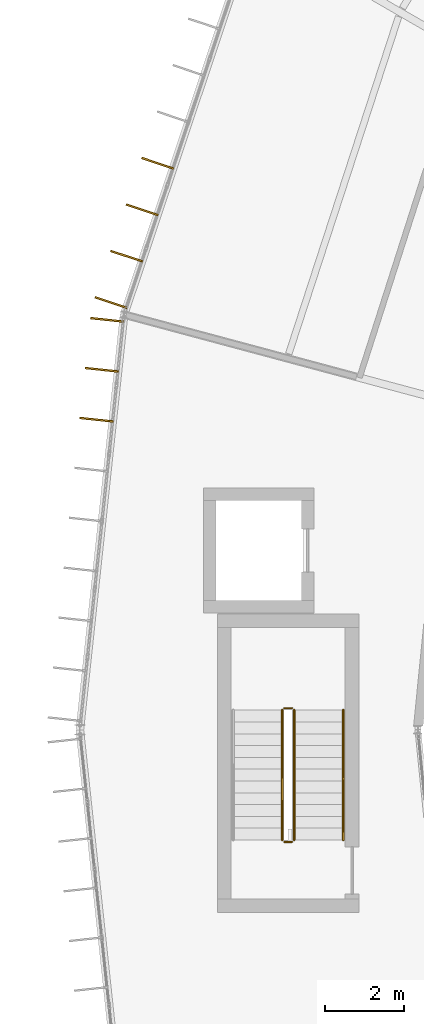
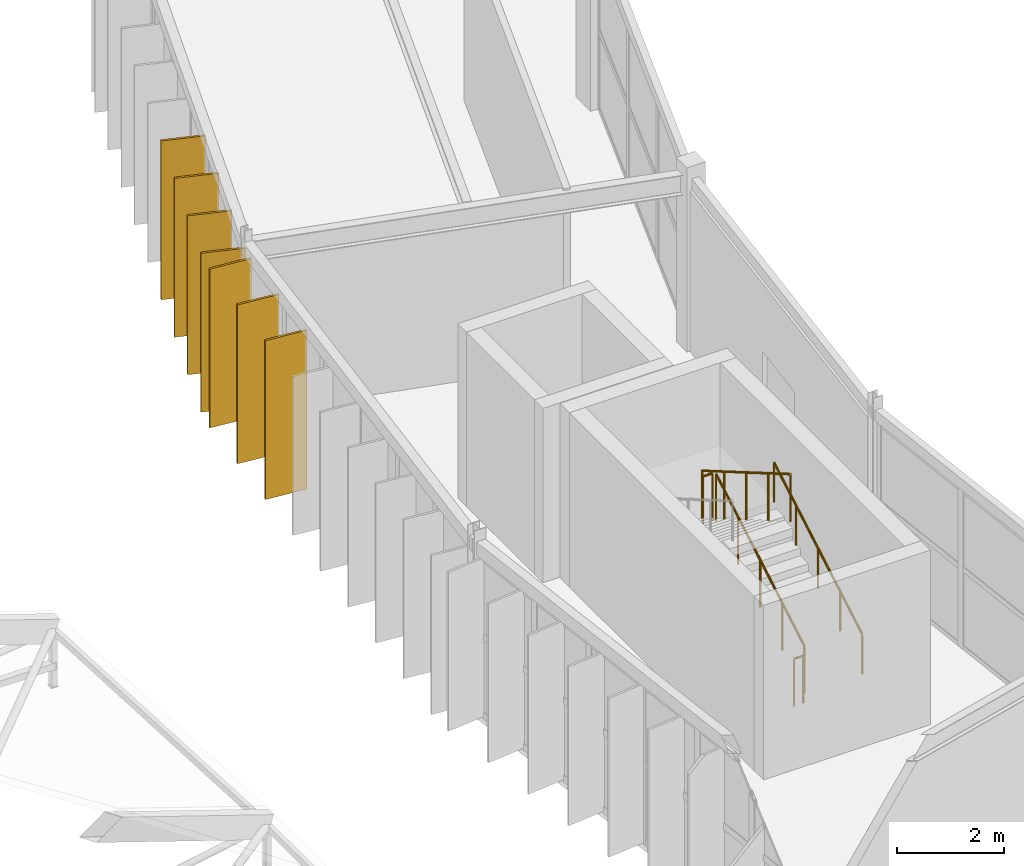
# One storey, part 126 of 134: 7 shading devices, 5 railings.
"""IFC4 building model written with IfcOpenShell, lengths in metres."""

from ifc_helpers import new_model, si_unit, direction, frame, origin, origin_2d, place, context, subcontext, project, spatial, rectangle, circle, extrude, material, layer, layer_set, type_object, element, save


model = new_model("IFC4")

# Units and contexts
model_context = context("Model", 3, precision=1e-05, world=origin(), true_north=direction((0.0, 1.0)))
body_context = subcontext(model_context, "Body", "Model", "MODEL_VIEW")
ifc_project = project(units=[si_unit("LENGTHUNIT", "METRE"), si_unit("AREAUNIT", "SQUARE_METRE"), si_unit("VOLUMEUNIT", "CUBIC_METRE"), si_unit("PLANEANGLEUNIT", "RADIAN"), si_unit("MASSUNIT", "GRAM", prefix="KILO")], contexts=[model_context])

# Site, building, storey
site_placement = place(None, origin())
site = spatial("IfcSite", under=ifc_project, at=site_placement, CompositionType="ELEMENT")
building_placement = place(site_placement, origin())
building = spatial("IfcBuilding", under=site, at=building_placement, Name="Karori Crest Natural Sciences Institute", CompositionType="ELEMENT")
storey_placement = place(building_placement, frame((0.0, 0.0, 21.699951171875)))
storey = spatial("IfcBuildingStorey", under=building, at=storey_placement, Name="L05", CompositionType="ELEMENT", Elevation=21.699951171875)

# Railings
ifc_material_1 = material(Name="Stainless steel 316 tubular handrail", Category="steel")
railing_type_1 = type_object("IfcRailingType", Name="RLT-HND", PredefinedType="HANDRAIL", material=ifc_material_1)
railing_1_placement = place(storey_placement, frame((40.10009765625, 47.10009765625, 0.175048828125)))
element("IfcRailing", 1, at=railing_1_placement, inside=storey, type_object=railing_type_1, Name="Stair handrail RL-0090", PredefinedType="HANDRAIL", context=body_context, shape_type="SweptSolid", body=[
    extrude(circle(Radius=0.02392578125, at=origin_2d()), frame((0.0, 0.0, 0.90087890625), z_axis=(0.0, 0.863760357493, 0.503902812876), x_axis=(-1.0, 0.0, 0.0)), (0.0, 0.0, 1.0), 3.8203125),
    extrude(circle(Radius=0.02099609375, at=origin_2d()), origin(), (0.0, 0.0, 1.0), 0.876953125),
    extrude(circle(Radius=0.02099609375, at=origin_2d()), frame((0.0, 0.824951171875, 0.481201171875)), (0.0, 0.0, 1.0), 0.876953125),
    extrude(circle(Radius=0.02099609375, at=origin_2d()), frame((0.0, 1.64990234375, 0.96240234375)), (0.0, 0.0, 1.0), 0.876953125),
    extrude(circle(Radius=0.02099609375, at=origin_2d()), frame((0.0, 2.474853515625, 1.44384765625)), (0.0, 0.0, 1.0), 0.876953125),
    extrude(circle(Radius=0.02099609375, at=origin_2d()), frame((0.0, 3.2998046875, 1.925048828125)), (0.0, 0.0, 1.0), 0.876953125),
])
ifc_material_2 = material(Name="Stainless steel 316 stair guard", Category="steel")
railing_type_2 = type_object("IfcRailingType", Name="RLT-STG", PredefinedType="GUARDRAIL", material=ifc_material_2)
railing_2_placement = place(storey_placement, frame((38.85009765625, 47.10009765625, 0.175048828125)))
element("IfcRailing", 2, at=railing_2_placement, inside=storey, type_object=railing_type_2, Name="Stair guard RL-0086", PredefinedType="GUARDRAIL", context=body_context, shape_type="SweptSolid", body=[
    extrude(circle(Radius=0.02392578125, at=origin_2d()), frame((0.0, 0.0, 1.076171875), z_axis=(0.0, 0.863760357493, 0.503902812876), x_axis=(-1.0, 0.0, 0.0)), (0.0, 0.0, 1.0), 3.8203125),
    extrude(circle(Radius=0.02099609375, at=origin_2d()), origin(), (0.0, 0.0, 1.0), 1.052001953125),
    extrude(circle(Radius=0.02099609375, at=origin_2d()), frame((0.0, 0.824951171875, 0.481201171875)), (0.0, 0.0, 1.0), 1.052001953125),
    extrude(circle(Radius=0.02099609375, at=origin_2d()), frame((0.0, 1.64990234375, 0.96240234375)), (0.0, 0.0, 1.0), 1.052001953125),
    extrude(circle(Radius=0.02099609375, at=origin_2d()), frame((0.0, 2.474853515625, 1.44384765625)), (0.0, 0.0, 1.0), 1.052001953125),
    extrude(circle(Radius=0.02099609375, at=origin_2d()), frame((0.0, 3.2998046875, 1.925048828125)), (0.0, 0.0, 1.0), 1.052001953125),
])
railing_3_placement = place(storey_placement, frame((38.800048828125, 50.449951171875, 2.10009765625)))
element("IfcRailing", 3, at=railing_3_placement, inside=storey, type_object=railing_type_2, Name="Stair guard RL-0087", PredefinedType="GUARDRAIL", context=body_context, shape_type="SweptSolid", body=[
    extrude(circle(Radius=0.02392578125, at=origin_2d()), frame((0.0, 0.0, 1.076171875), z_axis=(-1.0, 0.0, 0.0), x_axis=(0.0, -1.0, 0.0)), (0.0, 0.0, 1.0), 0.199951171875),
    extrude(circle(Radius=0.02099609375, at=origin_2d()), origin(), (0.0, 0.0, 1.0), 1.052001953125),
    extrude(circle(Radius=0.02099609375, at=origin_2d()), frame((-0.199951171875, 0.0, 0.0)), (0.0, 0.0, 1.0), 1.052001953125),
])
railing_4_placement = place(storey_placement, frame((38.550048828125, 50.39990234375, 2.275146484375)))
element("IfcRailing", 4, at=railing_4_placement, inside=storey, type_object=railing_type_2, Name="Stair guard RL-0088", PredefinedType="GUARDRAIL", context=body_context, shape_type="SweptSolid", body=[
    extrude(circle(Radius=0.02392578125, at=origin_2d()), frame((0.0, 0.0, 1.076171875), z_axis=(0.0, -0.863788172461, 0.503855131081), x_axis=(1.0, 0.0, 0.0)), (0.0, 0.0, 1.0), 3.820068359375),
    extrude(circle(Radius=0.02099609375, at=origin_2d()), origin(), (0.0, 0.0, 1.0), 1.052001953125),
    extrude(circle(Radius=0.02099609375, at=origin_2d()), frame((0.0, -0.824951171875, 0.481201171875)), (0.0, 0.0, 1.0), 1.052001953125),
    extrude(circle(Radius=0.02099609375, at=origin_2d()), frame((0.0, -1.64990234375, 0.96240234375)), (0.0, 0.0, 1.0), 1.052001953125),
    extrude(circle(Radius=0.02099609375, at=origin_2d()), frame((0.0, -2.474853515625, 1.443603515625)), (0.0, 0.0, 1.0), 1.052001953125),
    extrude(circle(Radius=0.02099609375, at=origin_2d()), frame((0.0, -3.2998046875, 1.9248046875)), (0.0, 0.0, 1.0), 1.052001953125),
])
railing_5_placement = place(storey_placement, frame((38.800048828125, 47.050048828125, 0.0)))
element("IfcRailing", 5, at=railing_5_placement, inside=storey, type_object=railing_type_2, Name="Stair guard RL-0089", PredefinedType="GUARDRAIL", context=body_context, shape_type="SweptSolid", body=[
    extrude(circle(Radius=0.02392578125, at=origin_2d()), frame((0.0, 0.0, 1.076171875), z_axis=(-1.0, 0.0, 0.0), x_axis=(0.0, -1.0, 0.0)), (0.0, 0.0, 1.0), 0.199951171875),
    extrude(circle(Radius=0.02099609375, at=origin_2d()), origin(), (0.0, 0.0, 1.0), 1.052001953125),
    extrude(circle(Radius=0.02099609375, at=origin_2d()), frame((-0.199951171875, 0.0, 0.0)), (0.0, 0.0, 1.0), 1.052001953125),
])

# Shading devices
ifc_material_3 = material(Name="Anodised architectural aluminium 6063-T6", Category="aluminium")
ifc_layer = layer(ifc_material_3, 0.044921875, Name="Anodised architectural aluminium 6063-T6")
ifc_layer_set = layer_set([ifc_layer], Name="Anodised architectural aluminium 6063-T6")
shading_device_type = type_object("IfcShadingDeviceType", Name="SDT-FIN", PredefinedType="USERDEFINED", material=ifc_layer_set)
for number, where, z_axis, x_axis, name in (
    (6, (34.19384765625, 60.763916015625, 0.0), (0.0, 0.0, 1.0), (-0.948197867933, 0.317680347595, 0.0), "Vertical solar fin FN-0901"),
    (7, (34.589599609375, 61.94482421875, 0.0), (0.0, 0.0, 1.0), (-0.948197867933, 0.317680347595, 0.0), "Vertical solar fin FN-0902"),
    (8, (34.985107421875, 63.12548828125, 0.0), (0.0, 0.0, 1.0), (-0.948197867933, 0.317680347595, 0.0), "Vertical solar fin FN-0903"),
    (9, (35.380615234375, 64.306396484375, 0.0), (0.0, 0.0, 1.0), (-0.948197867933, 0.317680347595, 0.0), "Vertical solar fin FN-0904"),
    (10, (33.827392578125, 57.7861328125, 0.0), (0.0, 0.0, 1.0), (-0.994378303702, 0.105885736186, 0.0), "Vertical solar fin FN-0916"),
    (11, (33.962646484375, 59.055419921875, 0.0), (0.0, 0.0, 1.0), (-0.994378303702, 0.105885736186, 0.0), "Vertical solar fin FN-0917"),
    (12, (34.09765625, 60.32470703125, 0.0), (0.0, 0.0, 1.0), (-0.994378303702, 0.105885736186, 0.0), "Vertical solar fin FN-0918"),
):
    element("IfcShadingDevice", number, at=place(storey_placement, frame(where, z_axis=z_axis, x_axis=x_axis)), inside=storey, type_object=shading_device_type, Name=name, ObjectType="SOLAR_FIN", PredefinedType="USERDEFINED", context=body_context, shape_type="SweptSolid", body=[
        extrude(rectangle(XDim=0.85009765625, YDim=0.044921875, at=origin_2d()), origin(), (0.0, 0.0, 1.0), 3.625),
    ])

save(model, "model.ifc")
